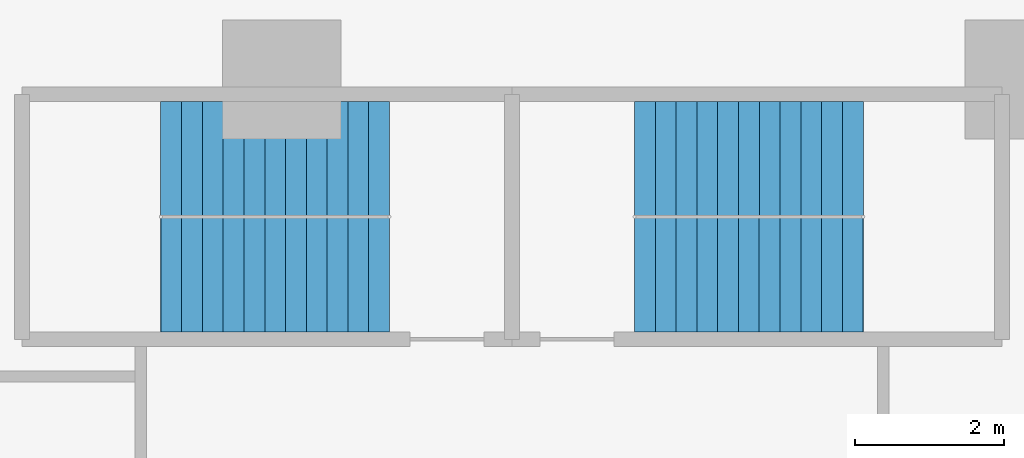
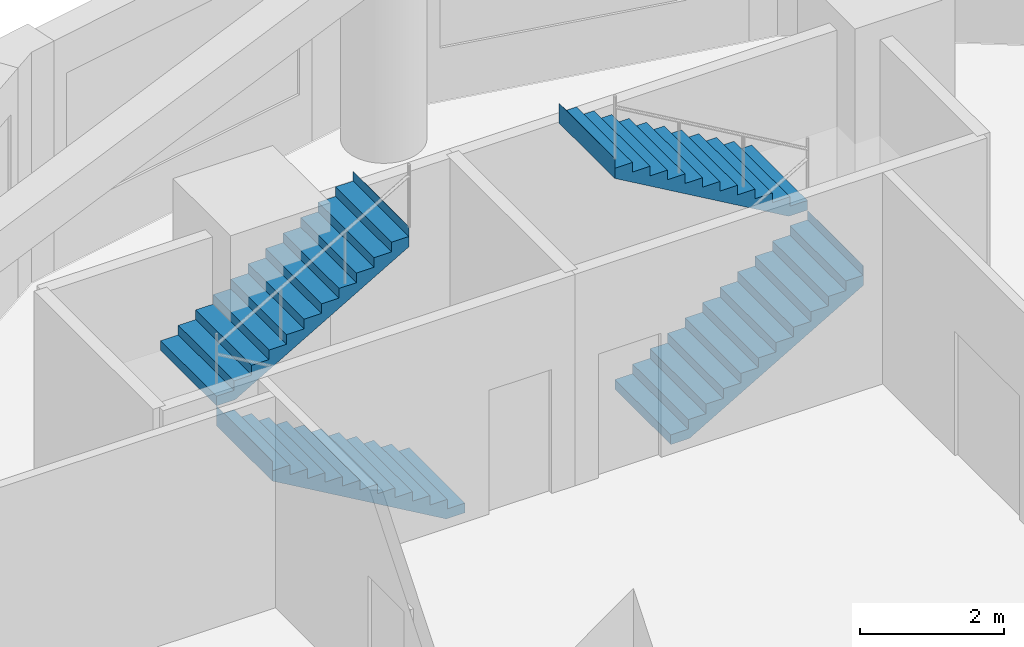
# One storey, part 8 of 10: 4 stair flights, 2 elements without a shape of their own.
"""IFC4 building model written with IfcOpenShell, lengths in metres."""

import ifcopenshell
import ifcopenshell.guid

model = None  # the IFC model being written
_history = None  # IfcOwnerHistory: only IFC2X3 demands one
_inside = {}  # id of a spatial element -> (the spatial element, [elements in it])
_under = {}  # id of a project, library or spatial element -> (it, [spatial elements below it])
_declared = {}  # id of a project -> (the project, [libraries it declares])
_typed = {}  # id of a type object -> (the type object, [elements of that type])
_made_of = {}  # id of a material, layer set ... -> (it, [elements and type objects made of it])


def new_model(schema):
    """Start an empty IFC model of exactly this schema.

    Asked for "IFC4X3", IfcOpenShell would pick the latest addendum, in which some entities
    have other attributes; the version numbers below select the first issue.
    IFC2X3 requires an IfcOwnerHistory on every rooted entity: one is made here for all.
    """
    global model, _history
    if schema == "IFC4X3":
        model = ifcopenshell.file(schema_version=(4, 3, 0, 0))
    else:
        model = ifcopenshell.file(schema=schema)
    _inside.clear()
    _under.clear()
    _declared.clear()
    _typed.clear()
    _made_of.clear()
    _history = None
    if model.schema == "IFC2X3":
        org = make("IfcOrganization", Name="unknown")
        user = make(
            "IfcPersonAndOrganization",
            ThePerson=make("IfcPerson", FamilyName="unknown"),
            TheOrganization=org,
        )
        app = make(
            "IfcApplication",
            ApplicationDeveloper=org,
            Version="unknown",
            ApplicationFullName="unknown",
            ApplicationIdentifier="unknown",
        )
        _history = make(
            "IfcOwnerHistory",
            OwningUser=user,
            OwningApplication=app,
            ChangeAction="ADDED",
            CreationDate=0,
        )
    return model


def make(cls, **values):
    """One entity of the class cls with the attributes given. An attribute that is None is left unset."""
    return model.create_entity(
        cls, **{name: value for name, value in values.items() if value is not None}
    )


def rooted(cls, **values):
    """An entity with a GlobalId (a new one), such as an element, a storey or a relation."""
    return make(cls, GlobalId=ifcopenshell.guid.new(), OwnerHistory=_history, **values)


def si_unit(unit_type, name, prefix=None):
    """IfcSIUnit, for example si_unit("LENGTHUNIT", "METRE", prefix="MILLI")."""
    return make("IfcSIUnit", UnitType=unit_type, Prefix=prefix, Name=name)


def assignment(units):
    """IfcUnitAssignment: the units of a project."""
    return None if units is None else make("IfcUnitAssignment", Units=units)


def point(xyz):
    """IfcCartesianPoint."""
    return None if xyz is None else make("IfcCartesianPoint", Coordinates=xyz)


def direction(xyz):
    """IfcDirection."""
    return None if xyz is None else make("IfcDirection", DirectionRatios=xyz)


def frame(location, z_axis=None, x_axis=None):
    """IfcAxis2Placement3D, a coordinate frame: its origin and axes. An axis left out is left unset."""
    return make(
        "IfcAxis2Placement3D",
        Location=point(location),
        Axis=direction(z_axis),
        RefDirection=direction(x_axis),
    )


def origin():
    """The frame at (0, 0, 0) with its axes left unset."""
    return frame((0.0, 0.0, 0.0))


def place(relative_to, where):
    """IfcLocalPlacement: puts the frame where relative to a parent placement (None: the world)."""
    return make(
        "IfcLocalPlacement", PlacementRelTo=relative_to, RelativePlacement=where
    )


def context(
    kind, dimensions, precision=None, world=None, true_north=None, identifier=None
):
    """IfcGeometricRepresentationContext, for example the 3D "Model" context."""
    return make(
        "IfcGeometricRepresentationContext",
        ContextIdentifier=identifier,
        ContextType=kind,
        CoordinateSpaceDimension=dimensions,
        Precision=precision,
        WorldCoordinateSystem=world,
        TrueNorth=true_north,
    )


def subcontext(parent, identifier, kind, view, scale=None):
    """IfcGeometricRepresentationSubContext, for example "Body" below "Model"."""
    return make(
        "IfcGeometricRepresentationSubContext",
        ContextIdentifier=identifier,
        ContextType=kind,
        ParentContext=parent,
        TargetScale=scale,
        TargetView=view,
    )


def project(units=None, contexts=None):
    """IfcProject with its units and contexts."""
    return rooted(
        "IfcProject",
        Name="project",
        RepresentationContexts=contexts,
        UnitsInContext=assignment(units),
    )


def spatial(cls, under=None, at=None, **own):
    """A site, building, storey or space (cls), placed at a placement, below another one or the project."""
    s = rooted(cls, ObjectPlacement=at, **own)
    if under is not None:
        _under.setdefault(under.id(), (under, []))[1].append(s)
    return s


def polyline(points):
    """IfcPolyline through the points."""
    return make("IfcPolyline", Points=[point(p) for p in points])


def outline(outer, holes=None, kind="AREA"):
    """IfcArbitraryClosedProfileDef: a profile drawn as a closed curve; with holes, ...WithVoids."""
    if holes is None:
        return make("IfcArbitraryClosedProfileDef", ProfileType=kind, OuterCurve=outer)
    return make(
        "IfcArbitraryProfileDefWithVoids",
        ProfileType=kind,
        OuterCurve=outer,
        InnerCurves=holes,
    )


def extrude(swept, where, along, depth):
    """IfcExtrudedAreaSolid: the profile swept, set in the frame where, extruded along a direction by depth."""
    return make(
        "IfcExtrudedAreaSolid",
        SweptArea=swept,
        Position=where,
        ExtrudedDirection=direction(along),
        Depth=depth,
    )


def shape(context_of_items, identifier, shape_type, items):
    """IfcShapeRepresentation: the items that make up one representation, for example the "Body"."""
    return make(
        "IfcShapeRepresentation",
        ContextOfItems=context_of_items,
        RepresentationIdentifier=identifier,
        RepresentationType=shape_type,
        Items=items,
    )


def material(Name=None, Category=None):
    """IfcMaterial."""
    return make("IfcMaterial", Name=Name, Category=Category)


def made_of(thing, what):
    """Note that an element or type object is made of a material, layer set ...; save() writes the relation."""
    if what is not None:
        _made_of.setdefault(what.id(), (what, []))[1].append(thing)
    return thing


def type_object(cls, material=None, **own):
    """A type object (cls), such as IfcWallType, which elements share."""
    return made_of(rooted(cls, **own), material)


def element(
    cls,
    number,
    at=None,
    inside=None,
    cuts=None,
    type_object=None,
    material=None,
    context=None,
    identifier="Body",
    shape_type=None,
    held_by="IfcProductDefinitionShape",
    body=None,
    shapes=None,
    **own,
):
    """One element of the class cls, such as IfcWall. Its Tag is "e" and its number.

    at: its placement. inside: the storey or other place that contains it. cuts: it is an
    opening in that element (IfcRelVoidsElement). A single representation is given by context,
    identifier, shape_type and body (its items); several are given by shapes. held_by: the class
    of the entity that holds the representations. save() writes the other relations.
    """
    e = rooted(cls, Tag="e%d" % number, ObjectPlacement=at, **own)
    if body is not None:
        shapes = [shape(context, identifier, shape_type, body)]
    if shapes is not None:
        e.Representation = make(held_by, Representations=shapes)
    if inside is not None:
        _inside.setdefault(inside.id(), (inside, []))[1].append(e)
    if cuts is not None:
        rooted(
            "IfcRelVoidsElement", RelatingBuildingElement=cuts, RelatedOpeningElement=e
        )
    if type_object is not None:
        _typed.setdefault(type_object.id(), (type_object, []))[1].append(e)
    return made_of(e, material)


def aggregate(whole, parts):
    """IfcRelAggregates: a whole, such as a stair, and the parts it consists of."""
    return rooted("IfcRelAggregates", RelatingObject=whole, RelatedObjects=parts)


def save(model, path):
    """Write the relations noted so far, then the file.

    IfcRelAggregates (storeys below a building ...), IfcRelContainedInSpatialStructure (elements
    in a storey), IfcRelDefinesByType, IfcRelAssociatesMaterial and IfcRelDeclares: one each for
    every whole, place, type object, material and project.
    """
    for whole, parts in _under.values():
        aggregate(whole, parts)
    for where, things in _inside.values():
        rooted(
            "IfcRelContainedInSpatialStructure",
            RelatedElements=things,
            RelatingStructure=where,
        )
    for kind, things in _typed.values():
        rooted("IfcRelDefinesByType", RelatedObjects=things, RelatingType=kind)
    for what, things in _made_of.values():
        rooted("IfcRelAssociatesMaterial", RelatedObjects=things, RelatingMaterial=what)
    for by, libraries in _declared.values():
        rooted("IfcRelDeclares", RelatingContext=by, RelatedDefinitions=libraries)
    model.write(path)


model = new_model("IFC4")

# Units and contexts
model_context = context("Model", 3, precision=1e-05, world=origin(), true_north=direction((0.0, 1.0)))
body_context = subcontext(model_context, "Body", "Model", "MODEL_VIEW")
ifc_project = project(units=[si_unit("LENGTHUNIT", "METRE"), si_unit("AREAUNIT", "SQUARE_METRE"), si_unit("VOLUMEUNIT", "CUBIC_METRE"), si_unit("PLANEANGLEUNIT", "RADIAN"), si_unit("MASSUNIT", "GRAM", prefix="KILO")], contexts=[model_context])

# Site, building, storey
site_placement = place(None, origin())
site = spatial("IfcSite", under=ifc_project, at=site_placement, CompositionType="ELEMENT")
building_placement = place(site_placement, origin())
building = spatial("IfcBuilding", under=site, at=building_placement, Name="Qaws Garden Tower", CompositionType="ELEMENT")
storey_placement = place(building_placement, frame((0.0, 0.0, 12.0)))
storey = spatial("IfcBuildingStorey", under=building, at=storey_placement, Name="L02", CompositionType="ELEMENT", Elevation=12.0)

# Stair, stair flights
ifc_material_1 = material(Name="Concrete C40", Category="concrete")
stair_type = type_object("IfcStairType", Name="Exit stair 1350", PredefinedType="HALF_TURN_STAIR", material=ifc_material_1)
placement = place(storey_placement, origin())
stair_1 = element("IfcStair", 1, at=placement, inside=storey, type_object=stair_type, Name="Stair 6", PredefinedType="HALF_TURN_STAIR")
ifc_material_2 = material(Name="Concrete C40", Category="concrete")
stair_flight_type = type_object("IfcStairFlightType", Name="Stair flight 1350", PredefinedType="STRAIGHT", material=ifc_material_2)
stair_flight_1_placement = place(storey_placement, frame((11.449951171875, 67.375, 0.0), z_axis=(0.0, 0.0, 1.0), x_axis=(-1.0, 0.0, 0.0)))
stair_flight_1 = element("IfcStairFlight", 2, at=stair_flight_1_placement, type_object=stair_flight_type, Name="ST6 flight 1", NumberOfRisers=12, NumberOfTreads=11, PredefinedType="STRAIGHT", RiserHeight=0.1625, TreadLength=0.28, context=body_context, shape_type="SweptSolid", body=[
    extrude(outline(polyline([(-0.0029296875, 0.0), (-0.0029296875, 0.16259765625), (0.0, 0.16259765625), (0.280029296875, 0.16259765625), (0.280029296875, 0.324951171875), (0.56005859375, 0.324951171875), (0.56005859375, 0.487548828125), (0.840087890625, 0.487548828125), (0.840087890625, 0.64990234375), (1.1201171875, 0.64990234375), (1.1201171875, 0.8125), (1.39990234375, 0.8125), (1.39990234375, 0.97509765625), (1.679931640625, 0.97509765625), (1.679931640625, 1.137451171875), (1.9599609375, 1.137451171875), (1.9599609375, 1.300048828125), (2.239990234375, 1.300048828125), (2.239990234375, 1.46240234375), (2.52001953125, 1.46240234375), (2.52001953125, 1.625), (2.800048828125, 1.625), (2.800048828125, 1.78759765625), (3.080078125, 1.78759765625), (3.080078125, 1.949951171875), (3.0830078125, 1.949951171875), (3.0830078125, 1.6142578125), (3.080078125, 1.6142578125), (0.298583984375, 0.0), (-0.0029296875, 0.0)])), frame((0.0, 0.77490234375, 0.0), z_axis=(0.0, -1.0, 0.0), x_axis=(1.0, 0.0, 0.0)), (0.0, 0.0, 1.0), 1.550048828125),
])
stair_flight_2_placement = place(storey_placement, frame((8.3701171875, 68.925048828125, 1.949951171875), z_axis=(0.0, 0.0, 1.0), x_axis=(1.0, 0.0, 0.0)))
stair_flight_2 = element("IfcStairFlight", 3, at=stair_flight_2_placement, type_object=stair_flight_type, Name="ST6 flight 2", NumberOfRisers=12, NumberOfTreads=11, PredefinedType="STRAIGHT", RiserHeight=0.1625, TreadLength=0.28, context=body_context, shape_type="SweptSolid", body=[
    extrude(outline(polyline([(-0.0029296875, 0.0), (-0.0029296875, 0.16259765625), (0.0, 0.16259765625), (0.280029296875, 0.16259765625), (0.280029296875, 0.324951171875), (0.56005859375, 0.324951171875), (0.56005859375, 0.487548828125), (0.840087890625, 0.487548828125), (0.840087890625, 0.64990234375), (1.1201171875, 0.64990234375), (1.1201171875, 0.8125), (1.39990234375, 0.8125), (1.39990234375, 0.97509765625), (1.679931640625, 0.97509765625), (1.679931640625, 1.137451171875), (1.9599609375, 1.137451171875), (1.9599609375, 1.300048828125), (2.239990234375, 1.300048828125), (2.239990234375, 1.46240234375), (2.52001953125, 1.46240234375), (2.52001953125, 1.625), (2.800048828125, 1.625), (2.800048828125, 1.78759765625), (3.080078125, 1.78759765625), (3.080078125, 1.949951171875), (3.0830078125, 1.949951171875), (3.0830078125, 1.6142578125), (3.080078125, 1.6142578125), (0.298583984375, 0.0), (-0.0029296875, 0.0)])), frame((0.0, 0.77490234375, 0.0), z_axis=(0.0, -1.0, 0.0), x_axis=(1.0, 0.0, 0.0)), (0.0, 0.0, 1.0), 1.550048828125),
])
aggregate(stair_1, [stair_flight_1, stair_flight_2])

stair_2 = element("IfcStair", 4, at=placement, inside=storey, type_object=stair_type, Name="Stair 7", PredefinedType="HALF_TURN_STAIR")
stair_flight_3_placement = place(storey_placement, frame((14.75, 67.375, 0.0), z_axis=(0.0, 0.0, 1.0), x_axis=(1.0, 0.0, 0.0)))
stair_flight_3 = element("IfcStairFlight", 5, at=stair_flight_3_placement, type_object=stair_flight_type, Name="ST7 flight 1", NumberOfRisers=12, NumberOfTreads=11, PredefinedType="STRAIGHT", RiserHeight=0.1625, TreadLength=0.28, context=body_context, shape_type="SweptSolid", body=[
    extrude(outline(polyline([(-0.0029296875, 0.0), (-0.0029296875, 0.16259765625), (0.0, 0.16259765625), (0.280029296875, 0.16259765625), (0.280029296875, 0.324951171875), (0.56005859375, 0.324951171875), (0.56005859375, 0.487548828125), (0.840087890625, 0.487548828125), (0.840087890625, 0.64990234375), (1.1201171875, 0.64990234375), (1.1201171875, 0.8125), (1.39990234375, 0.8125), (1.39990234375, 0.97509765625), (1.679931640625, 0.97509765625), (1.679931640625, 1.137451171875), (1.9599609375, 1.137451171875), (1.9599609375, 1.300048828125), (2.239990234375, 1.300048828125), (2.239990234375, 1.46240234375), (2.52001953125, 1.46240234375), (2.52001953125, 1.625), (2.800048828125, 1.625), (2.800048828125, 1.78759765625), (3.080078125, 1.78759765625), (3.080078125, 1.949951171875), (3.0830078125, 1.949951171875), (3.0830078125, 1.6142578125), (3.080078125, 1.6142578125), (0.298583984375, 0.0), (-0.0029296875, 0.0)])), frame((0.0, 0.77490234375, 0.0), z_axis=(0.0, -1.0, 0.0), x_axis=(1.0, 0.0, 0.0)), (0.0, 0.0, 1.0), 1.550048828125),
])
stair_flight_4_placement = place(storey_placement, frame((17.830078125, 68.925048828125, 1.949951171875), z_axis=(0.0, 0.0, 1.0), x_axis=(-1.0, 0.0, 0.0)))
stair_flight_4 = element("IfcStairFlight", 6, at=stair_flight_4_placement, type_object=stair_flight_type, Name="ST7 flight 2", NumberOfRisers=12, NumberOfTreads=11, PredefinedType="STRAIGHT", RiserHeight=0.1625, TreadLength=0.28, context=body_context, shape_type="SweptSolid", body=[
    extrude(outline(polyline([(-0.0029296875, 0.0), (-0.0029296875, 0.16259765625), (0.0, 0.16259765625), (0.280029296875, 0.16259765625), (0.280029296875, 0.324951171875), (0.56005859375, 0.324951171875), (0.56005859375, 0.487548828125), (0.840087890625, 0.487548828125), (0.840087890625, 0.64990234375), (1.1201171875, 0.64990234375), (1.1201171875, 0.8125), (1.39990234375, 0.8125), (1.39990234375, 0.97509765625), (1.679931640625, 0.97509765625), (1.679931640625, 1.137451171875), (1.9599609375, 1.137451171875), (1.9599609375, 1.300048828125), (2.239990234375, 1.300048828125), (2.239990234375, 1.46240234375), (2.52001953125, 1.46240234375), (2.52001953125, 1.625), (2.800048828125, 1.625), (2.800048828125, 1.78759765625), (3.080078125, 1.78759765625), (3.080078125, 1.949951171875), (3.0830078125, 1.949951171875), (3.0830078125, 1.6142578125), (3.080078125, 1.6142578125), (0.298583984375, 0.0), (-0.0029296875, 0.0)])), frame((0.0, 0.77490234375, 0.0), z_axis=(0.0, -1.0, 0.0), x_axis=(1.0, 0.0, 0.0)), (0.0, 0.0, 1.0), 1.550048828125),
])
aggregate(stair_2, [stair_flight_3, stair_flight_4])

save(model, "model.ifc")
